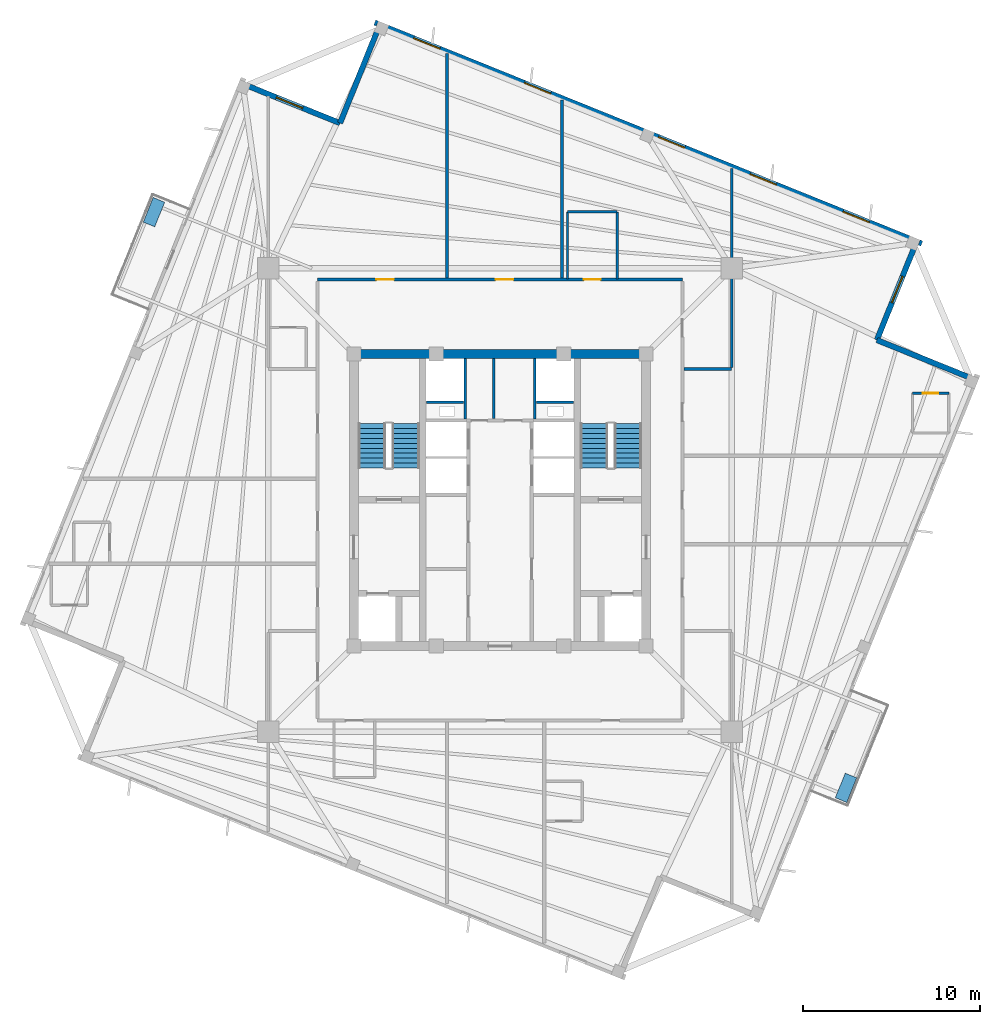
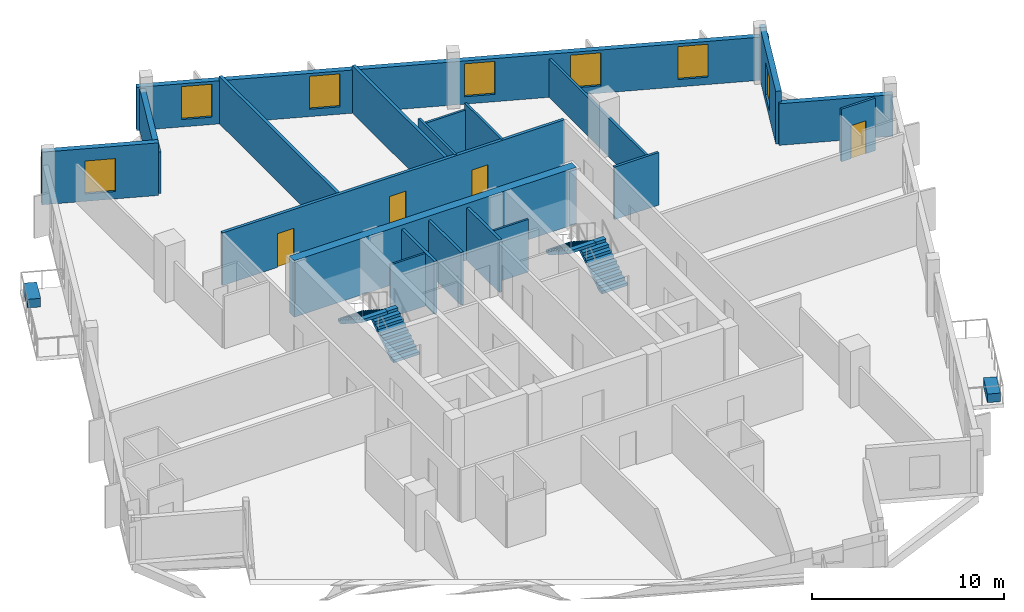
# One storey, part 5 of 8: 20 walls, 7 windows, 4 doors, 4 stair flights, 2 discrete accessories, 11 openings, 2 elements without a shape of their own.
"""IFC4 building model written with IfcOpenShell, lengths in metres."""

from ifc_helpers import new_model, si_unit, direction, frame, frame_2d, origin, origin_2d, place, context, subcontext, project, spatial, polyline, rectangle, outline, extrude, source, transform, mapped, material, layer, layer_set, type_object, element, fill, aggregate, save


model = new_model("IFC4")

# Units and contexts
model_context = context("Model", 3, precision=1e-05, world=origin(), true_north=direction((0.0, 1.0)))
body_context = subcontext(model_context, "Body", "Model", "MODEL_VIEW")
ifc_project = project(units=[si_unit("LENGTHUNIT", "METRE"), si_unit("AREAUNIT", "SQUARE_METRE"), si_unit("VOLUMEUNIT", "CUBIC_METRE"), si_unit("PLANEANGLEUNIT", "RADIAN"), si_unit("MASSUNIT", "GRAM", prefix="KILO"), si_unit("THERMODYNAMICTEMPERATUREUNIT", "KELVIN")], contexts=[model_context])

# Site, building, storey
site_placement = place(None, origin())
site = spatial("IfcSite", under=ifc_project, at=site_placement, CompositionType="ELEMENT")
building_placement = place(site_placement, origin())
building = spatial("IfcBuilding", under=site, at=building_placement, Name="Kosmvard Interchange Tower", CompositionType="ELEMENT")
storey_placement = place(building_placement, frame((0.0, 0.0, 304.800048828125)))
storey = spatial("IfcBuildingStorey", under=building, at=storey_placement, Name="L75", CompositionType="ELEMENT", Elevation=304.800048828125)

# Walls
ifc_material_1 = material(Name="Acoustic gypsum partition system")
ifc_layer_1 = layer(ifc_material_1, 0.14990234375, Name="Acoustic gypsum partition system")
ifc_layer_set_1 = layer_set([ifc_layer_1], Name="Acoustic gypsum partition system")
wall_type_1 = type_object("IfcWallType", Name="Acoustic Suite & Meeting Partition 150", PredefinedType="PARTITIONING", material=ifc_layer_set_1)
wall_1_placement = place(storey_placement, frame((10.39501953125, 7.39990234375, 0.0), z_axis=(0.0, 0.0, 1.0), x_axis=(1.0, 0.0, 0.0)))
element("IfcWall", 1, at=wall_1_placement, inside=storey, type_object=wall_type_1, Name="L75 Room Partition 11.1", PredefinedType="PARTITIONING", context=body_context, shape_type="SweptSolid", body=[
    extrude(rectangle(XDim=2.68603515625, YDim=0.14990234375, at=frame_2d((1.343017578125, 0.0))), origin(), (0.0, 0.0, 1.0), 3.349853515625),
])
wall_2_placement = place(storey_placement, frame((13.0810546875, 7.47509765625, 0.0), z_axis=(0.0, 0.0, 1.0), x_axis=(0.0, 1.0, 0.0)))
element("IfcWall", 2, at=wall_2_placement, inside=storey, type_object=wall_type_1, Name="L75 Room Partition 12.1", PredefinedType="PARTITIONING", context=body_context, shape_type="SweptSolid", body=[
    extrude(rectangle(XDim=11.24267578125, YDim=0.14990234375, at=frame_2d((5.621337890625, 0.0))), origin(), (0.0, 0.0, 1.0), 2.449951171875),
])
ifc_material_2 = material(Name="Fire-rated gypsum partition system")
ifc_layer_2 = layer(ifc_material_2, 0.159912109375, Name="Fire-rated gypsum partition system")
ifc_layer_set_2 = layer_set([ifc_layer_2], Name="Fire-rated gypsum partition system")
wall_type_2 = type_object("IfcWallType", Name="Core Compartment & Shuttle Lobby Partition 160", PredefinedType="PARTITIONING", material=ifc_layer_set_2)
for number, where, z_axis, x_axis, name in (
    (3, (-1.9599609375, 4.580078125, 0.0), (0.0, 0.0, 1.0), (0.0, 1.0, 0.0), "L75 North Core West Wall"),
    (4, (1.9599609375, 4.580078125, 0.0), (0.0, 0.0, 1.0), (0.0, 1.0, 0.0), "L75 North Core East Wall"),
):
    element("IfcWall", number, at=place(storey_placement, frame(where, z_axis=z_axis, x_axis=x_axis)), inside=storey, type_object=wall_type_2, Name=name, PredefinedType="PARTITIONING", context=body_context, shape_type="SweptSolid", body=[
        extrude(rectangle(XDim=3.39990234375, YDim=0.159912109375, at=frame_2d((1.699951171875, 0.0))), origin(), (0.0, 0.0, 1.0), 3.349853515625),
    ])
ifc_material_3 = material(Name="Concrete blockwork masonry", Category="masonry")
ifc_layer_3 = layer(ifc_material_3, 0.159912109375, Name="Concrete blockwork masonry")
ifc_layer_set_3 = layer_set([ifc_layer_3], Name="Concrete blockwork masonry")
wall_type_3 = type_object("IfcWallType", Name="Core Enclosure Split Wall 160", PredefinedType="PARTITIONING", material=ifc_layer_set_3)
wall_3_placement = place(storey_placement, frame((-0.35009765625, 4.60009765625, 0.0), z_axis=(0.0, 0.0, 1.0), x_axis=(0.0, 1.0, 0.0)))
element("IfcWall", 5, at=wall_3_placement, inside=storey, type_object=wall_type_3, Name="L75 Core K2 Split Wall", PredefinedType="PARTITIONING", context=body_context, shape_type="SweptSolid", body=[
    extrude(rectangle(XDim=3.3798828125, YDim=0.159912109375, at=frame_2d((1.68994140625, 0.0))), origin(), (0.0, 0.0, 1.0), 3.349853515625),
])

# Wall, openings, doors
ifc_layer_4 = layer(ifc_material_2, 0.179931640625, Name="Fire-rated gypsum partition system")
ifc_layer_set_4 = layer_set([ifc_layer_4], Name="Fire-rated gypsum partition system")
wall_type_4 = type_object("IfcWallType", Name="Corridor & Hotel Compartment Partition 180", PredefinedType="PARTITIONING", material=ifc_layer_set_4)
wall_4_placement = place(storey_placement, frame((-10.300048828125, 12.449951171875, 0.0), z_axis=(0.0, 0.0, 1.0), x_axis=(1.0, 0.0, 0.0)))
wall_4 = element("IfcWall", 6, at=wall_4_placement, inside=storey, type_object=wall_type_4, Name="L75 Corridor Wall CN", PredefinedType="PARTITIONING", context=body_context, shape_type="SweptSolid", body=[
    extrude(rectangle(XDim=20.60009765625, YDim=0.179931640625, at=frame_2d((10.300048828125, 0.0))), origin(), (0.0, 0.0, 1.0), 3.349853515625),
])
opening_1_placement = place(wall_4_placement, frame((15.0361328125, 0.0, 0.0)))
opening_1 = element("IfcOpeningElement", 7, at=opening_1_placement, cuts=wall_4, Name="Opening L75-D02", PredefinedType="OPENING", context=body_context, shape_type="SweptSolid", body=[
    extrude(rectangle(XDim=0.949951171875, YDim=2.10009765625, at=frame_2d((0.47509765625, 1.050048828125))), frame((0.0, 0.10009765625, 0.0), z_axis=(0.0, -1.0, 0.0), x_axis=(1.0, 0.0, 0.0)), (0.0, 0.0, 1.0), 0.199951171875),
])
opening_2_placement = place(wall_4_placement, frame((3.314453125, 0.0, 0.0)))
opening_2 = element("IfcOpeningElement", 8, at=opening_2_placement, cuts=wall_4, Name="Opening L75-D04", PredefinedType="OPENING", context=body_context, shape_type="SweptSolid", body=[
    extrude(rectangle(XDim=1.0, YDim=2.14990234375, at=frame_2d((0.5, 1.074951171875))), frame((0.0, 0.10009765625, 0.0), z_axis=(0.0, -1.0, 0.0), x_axis=(1.0, 0.0, 0.0)), (0.0, 0.0, 1.0), 0.199951171875),
])
opening_3_placement = place(wall_4_placement, frame((10.050048828125, 0.0, 0.0)))
opening_3 = element("IfcOpeningElement", 9, at=opening_3_placement, cuts=wall_4, Name="Opening L75-D06", PredefinedType="OPENING", context=body_context, shape_type="SweptSolid", body=[
    extrude(rectangle(XDim=1.0, YDim=2.14990234375, at=frame_2d((0.5, 1.074951171875))), frame((0.0, 0.10009765625, 0.0), z_axis=(0.0, -1.0, 0.0), x_axis=(1.0, 0.0, 0.0)), (0.0, 0.0, 1.0), 0.199951171875),
])
ifc_material_4 = material(Name="Laminated moisture-resistant timber", Category="wood")
door_type_1 = type_object("IfcDoorType", Name="Accessible Washroom Door 950x2100", OperationType="NOTDEFINED", PredefinedType="DOOR", material=ifc_material_4)
shared_shape_1 = source(origin(), body_context, "Body", "SweptSolid", [
    extrude(rectangle(XDim=0.949951171875, YDim=2.10009765625, at=frame_2d((0.47509765625, 1.050048828125))), frame((0.0, 0.02490234375, 0.0), z_axis=(0.0, -1.0, 0.0), x_axis=(1.0, 0.0, 0.0)), (0.0, 0.0, 1.0), 0.050048828125),
])
door_1_placement = place(opening_1_placement, origin())
door_1 = element("IfcDoor", 10, at=door_1_placement, inside=storey, type_object=door_type_1, Name="L75 Public Sky Dining Washroom Door", OperationType="SINGLE_SWING_RIGHT", OverallHeight=2.10009765625, OverallWidth=0.949951171875, PredefinedType="DOOR", context=body_context, shape_type="MappedRepresentation", body=[
    mapped(shared_shape_1, transform((0.0, 0.0, 0.0), scale=1.0)),
])
fill(opening_1, door_1)
ifc_material_5 = material(Name="Engineered oak fire-rated timber", Category="wood")
door_type_2 = type_object("IfcDoorType", Name="Hotel Guestroom Entrance Door 1000x2150 EI60", OperationType="NOTDEFINED", PredefinedType="DOOR", material=ifc_material_5)
shared_shape_2 = source(origin(), body_context, "Body", "SweptSolid", [
    extrude(rectangle(XDim=1.0, YDim=2.14990234375, at=frame_2d((0.5, 1.074951171875))), frame((0.0, 0.02490234375, 0.0), z_axis=(0.0, -1.0, 0.0), x_axis=(1.0, 0.0, 0.0)), (0.0, 0.0, 1.0), 0.050048828125),
])
door_2_placement = place(opening_2_placement, origin())
door_2 = element("IfcDoor", 11, at=door_2_placement, inside=storey, type_object=door_type_2, Name="L75 Hotel Presidential Suite 1 Door", OperationType="SINGLE_SWING_RIGHT", OverallHeight=2.14990234375, OverallWidth=1.0, PredefinedType="DOOR", context=body_context, shape_type="MappedRepresentation", body=[
    mapped(shared_shape_2, transform((0.0, 0.0, 0.0), scale=1.0)),
])
fill(opening_2, door_2)
door_3_placement = place(opening_3_placement, origin())
door_3 = element("IfcDoor", 12, at=door_3_placement, inside=storey, type_object=door_type_2, Name="L75 Hotel Sky Champagne Lounge Door", OperationType="SINGLE_SWING_RIGHT", OverallHeight=2.14990234375, OverallWidth=1.0, PredefinedType="DOOR", context=body_context, shape_type="MappedRepresentation", body=[
    mapped(shared_shape_2, transform((0.0, 0.0, 0.0), scale=1.0)),
])
fill(opening_3, door_3)

# Walls
wall_5_placement = place(storey_placement, frame((-3.0, 12.544921875, 0.0), z_axis=(0.0, 0.0, 1.0), x_axis=(0.0, 1.0, 0.0)))
element("IfcWall", 13, at=wall_5_placement, inside=storey, type_object=wall_type_4, Name="L75 Room Partition 01.1", PredefinedType="PARTITIONING", context=body_context, shape_type="SweptSolid", body=[
    extrude(rectangle(XDim=12.669921875, YDim=0.179931640625, at=frame_2d((6.3349609375, 0.0))), origin(), (0.0, 0.0, 1.0), 3.02001953125),
])
wall_6_placement = place(storey_placement, frame((3.5, 12.544921875, 0.0), z_axis=(0.0, 0.0, 1.0), x_axis=(0.0, 1.0, 0.0)))
element("IfcWall", 14, at=wall_6_placement, inside=storey, type_object=wall_type_4, Name="L75 Room Partition 02.1", PredefinedType="PARTITIONING", context=body_context, shape_type="SweptSolid", body=[
    extrude(rectangle(XDim=10.043701171875, YDim=0.179931640625, at=frame_2d((5.02197265625, 0.0))), origin(), (0.0, 0.0, 1.0), 3.02001953125),
])
ifc_material_6 = material(Name="Fire-rated gypsum shaftwall system")
ifc_layer_5 = layer(ifc_material_6, 0.1201171875, Name="Fire-rated gypsum shaftwall system")
ifc_layer_set_5 = layer_set([ifc_layer_5], Name="Fire-rated gypsum shaftwall system")
wall_type_5 = type_object("IfcWallType", Name="Shaft & Riser Fire Partition 120 EI60", PredefinedType="PARTITIONING", material=ifc_layer_set_5)
for number, where, z_axis, x_axis, name in (
    (15, (-4.159912109375, 5.52001953125, 0.0), (0.0, 0.0, 1.0), (1.0, 0.0, 0.0), "L75 Riser Shaft Divider W"),
    (16, (2.06005859375, 5.52001953125, 0.0), (0.0, 0.0, 1.0), (1.0, 0.0, 0.0), "L75 Riser Shaft Divider E"),
):
    element("IfcWall", number, at=place(storey_placement, frame(where, z_axis=z_axis, x_axis=x_axis)), inside=storey, type_object=wall_type_5, Name=name, PredefinedType="PARTITIONING", context=body_context, shape_type="SweptSolid", body=[
        extrude(rectangle(XDim=2.099853515625, YDim=0.1201171875, at=frame_2d((1.0498046875, 0.0))), origin(), (0.0, 0.0, 1.0), 3.349853515625),
    ])
ifc_material_7 = material(Name="Concrete C60/75", Category="concrete")
ifc_layer_6 = layer(ifc_material_7, 0.5, Name="Concrete C60/75")
ifc_layer_set_6 = layer_set([ifc_layer_6], Name="Concrete C60/75")
wall_type_6 = type_object("IfcWallType", Name="Upper Core Shear Wall 500 C60/75", PredefinedType="SHEAR", material=ifc_layer_set_6)
wall_7_placement = place(storey_placement, frame((-8.5, 8.25, 0.0), z_axis=(0.0, 0.0, 1.0), x_axis=(1.0, 0.0, 0.0)))
element("IfcWall", 17, at=wall_7_placement, inside=storey, type_object=wall_type_6, Name="L75 Core Shear Wall CW-N", PredefinedType="SHEAR", context=body_context, shape_type="SweptSolid", body=[
    extrude(rectangle(XDim=17.0, YDim=0.5, at=frame_2d((8.5, 0.0))), origin(), (0.0, 0.0, 1.0), 3.599853515625),
])
ifc_material_8 = material(Name="Precast concrete C45/55", Category="concrete")
ifc_layer_7 = layer(ifc_material_8, 0.31005859375, Name="Precast concrete C45/55")
ifc_layer_set_7 = layer_set([ifc_layer_7], Name="Precast concrete C45/55")
wall_type_7 = type_object("IfcWallType", Name="Upper Tower Precast Pier Wall 310 C45/55", PredefinedType="STANDARD", material=ifc_layer_set_7)
wall_8_placement = place(storey_placement, frame((26.8408203125, 6.7841796875, 0.0), z_axis=(0.0, 0.0, 1.0), x_axis=(-0.927171722085, 0.374636620962, 0.0)))
element("IfcWall", 18, at=wall_8_placement, inside=storey, type_object=wall_type_7, Name="L75 Precast Facade Wall N-SE1", PredefinedType="STANDARD", context=body_context, shape_type="SweptSolid", body=[
    extrude(rectangle(XDim=6.0, YDim=0.31005859375, at=frame_2d((3.0, 0.0))), origin(), (0.0, 0.0, 1.0), 2.64990234375),
])

# Wall, opening, window
wall_9_placement = place(storey_placement, frame((21.27783203125, 9.031982421875, 0.0), z_axis=(0.0, 0.0, 1.0), x_axis=(0.374602739196, 0.927185411764, 0.0)))
wall_9 = element("IfcWall", 19, at=wall_9_placement, inside=storey, type_object=wall_type_7, Name="L75 Precast Facade Wall N-SE2", PredefinedType="STANDARD", context=body_context, shape_type="SweptSolid", body=[
    extrude(rectangle(XDim=6.155029296875, YDim=0.31005859375, at=frame_2d((3.07763671875, 0.0))), origin(), (0.0, 0.0, 1.0), 3.349853515625),
])
opening_4_placement = place(wall_9_placement, frame((2.277587890625, 0.0, 0.469970703125)))
opening_4 = element("IfcOpeningElement", 20, at=opening_4_placement, cuts=wall_9, Name="Opening L75-W21", PredefinedType="OPENING", context=body_context, shape_type="SweptSolid", body=[
    extrude(rectangle(XDim=1.60009765625, YDim=2.10009765625, at=frame_2d((0.800048828125, 1.050048828125))), frame((0.0, 0.1650390625, 0.0), z_axis=(0.0, -1.0, 0.0), x_axis=(1.0, 0.0, 0.0)), (0.0, 0.0, 1.0), 0.330078125),
])
ifc_material_9 = material(Name="Low-E acoustic double glazing", Category="glass")
window_type = type_object("IfcWindowType", Name="Zone 5 Hotel Punched Window 1600x2100", PartitioningType="SINGLE_PANEL", PredefinedType="WINDOW", material=ifc_material_9)
shared_shape_3 = source(origin(), body_context, "Body", "SweptSolid", [
    extrude(rectangle(XDim=1.60009765625, YDim=2.10009765625, at=frame_2d((0.800048828125, 1.050048828125))), frame((0.0, 0.030029296875, 0.0), z_axis=(0.0, -1.0, 0.0), x_axis=(1.0, 0.0, 0.0)), (0.0, 0.0, 1.0), 0.06005859375),
])
window_1_placement = place(opening_4_placement, origin())
window_1 = element("IfcWindow", 21, at=window_1_placement, inside=storey, type_object=window_type, Name="L75 Corner Notch Window 21", OverallHeight=2.10009765625, OverallWidth=1.60009765625, PartitioningType="SINGLE_PANEL", PredefinedType="WINDOW", context=body_context, shape_type="MappedRepresentation", body=[
    mapped(shared_shape_3, transform((0.0, 0.0, 0.0), scale=1.0)),
])
fill(opening_4, window_1)

# Wall, openings, windows
wall_10_placement = place(storey_placement, frame((23.812744140625, 14.478759765625, 0.0), z_axis=(0.0, 0.0, 1.0), x_axis=(-0.927182657188, 0.374609557019, 0.0)))
wall_10 = element("IfcWall", 22, at=wall_10_placement, inside=storey, type_object=wall_type_7, Name="L75 Precast Facade Wall F-E", PredefinedType="STANDARD", context=body_context, shape_type="SweptSolid", body=[
    extrude(rectangle(XDim=33.31005859375, YDim=0.31005859375, at=frame_2d((16.655029296875, 0.0))), origin(), (0.0, 0.0, 1.0), 2.75),
])
opening_5_placement = place(wall_10_placement, frame((3.197265625, 0.0, 0.469970703125)))
opening_5 = element("IfcOpeningElement", 23, at=opening_5_placement, cuts=wall_10, Name="Opening L75-W06", PredefinedType="OPENING", context=body_context, shape_type="SweptSolid", body=[
    extrude(rectangle(XDim=1.60009765625, YDim=2.10009765625, at=frame_2d((0.800048828125, 1.050048828125))), frame((0.0, 0.1650390625, 0.0), z_axis=(0.0, -1.0, 0.0), x_axis=(1.0, 0.0, 0.0)), (0.0, 0.0, 1.0), 0.330078125),
])
opening_6_placement = place(wall_10_placement, frame((8.85986328125, 0.0, 0.469970703125)))
opening_6 = element("IfcOpeningElement", 24, at=opening_6_placement, cuts=wall_10, Name="Opening L75-W07", PredefinedType="OPENING", context=body_context, shape_type="SweptSolid", body=[
    extrude(rectangle(XDim=1.60009765625, YDim=2.10009765625, at=frame_2d((0.800048828125, 1.050048828125))), frame((0.0, 0.1650390625, 0.0), z_axis=(0.0, -1.0, 0.0), x_axis=(1.0, 0.0, 0.0)), (0.0, 0.0, 1.0), 0.330078125),
])
opening_7_placement = place(wall_10_placement, frame((14.438720703125, 0.0, 0.469970703125)))
opening_7 = element("IfcOpeningElement", 25, at=opening_7_placement, cuts=wall_10, Name="Opening L75-W08", PredefinedType="OPENING", context=body_context, shape_type="SweptSolid", body=[
    extrude(rectangle(XDim=1.60009765625, YDim=2.10009765625, at=frame_2d((0.800048828125, 1.050048828125))), frame((0.0, 0.1650390625, 0.0), z_axis=(0.0, -1.0, 0.0), x_axis=(1.0, 0.0, 0.0)), (0.0, 0.0, 1.0), 0.330078125),
])
opening_8_placement = place(wall_10_placement, frame((22.600830078125, 0.0, 0.469970703125)))
opening_8 = element("IfcOpeningElement", 26, at=opening_8_placement, cuts=wall_10, Name="Opening L75-W09", PredefinedType="OPENING", context=body_context, shape_type="SweptSolid", body=[
    extrude(rectangle(XDim=1.60009765625, YDim=2.10009765625, at=frame_2d((0.800048828125, 1.050048828125))), frame((0.0, 0.1650390625, 0.0), z_axis=(0.0, -1.0, 0.0), x_axis=(1.0, 0.0, 0.0)), (0.0, 0.0, 1.0), 0.330078125),
])
opening_9_placement = place(wall_10_placement, frame((29.3466796875, 0.0, 0.469970703125)))
opening_9 = element("IfcOpeningElement", 27, at=opening_9_placement, cuts=wall_10, Name="Opening L75-W10", PredefinedType="OPENING", context=body_context, shape_type="SweptSolid", body=[
    extrude(rectangle(XDim=1.60009765625, YDim=2.10009765625, at=frame_2d((0.800048828125, 1.050048828125))), frame((0.0, 0.1650390625, 0.0), z_axis=(0.0, -1.0, 0.0), x_axis=(1.0, 0.0, 0.0)), (0.0, 0.0, 1.0), 0.330078125),
])
window_2_placement = place(opening_5_placement, origin())
window_2 = element("IfcWindow", 28, at=window_2_placement, inside=storey, type_object=window_type, Name="L75 Facade Punched Window 06", OverallHeight=2.10009765625, OverallWidth=1.60009765625, PartitioningType="SINGLE_PANEL", PredefinedType="WINDOW", context=body_context, shape_type="MappedRepresentation", body=[
    mapped(shared_shape_3, transform((0.0, 0.0, 0.0), scale=1.0)),
])
fill(opening_5, window_2)
window_3_placement = place(opening_6_placement, origin())
window_3 = element("IfcWindow", 29, at=window_3_placement, inside=storey, type_object=window_type, Name="L75 Facade Punched Window 07", OverallHeight=2.10009765625, OverallWidth=1.60009765625, PartitioningType="SINGLE_PANEL", PredefinedType="WINDOW", context=body_context, shape_type="MappedRepresentation", body=[
    mapped(shared_shape_3, transform((0.0, 0.0, 0.0), scale=1.0)),
])
fill(opening_6, window_3)
window_4_placement = place(opening_7_placement, origin())
window_4 = element("IfcWindow", 30, at=window_4_placement, inside=storey, type_object=window_type, Name="L75 Facade Punched Window 08", OverallHeight=2.10009765625, OverallWidth=1.60009765625, PartitioningType="SINGLE_PANEL", PredefinedType="WINDOW", context=body_context, shape_type="MappedRepresentation", body=[
    mapped(shared_shape_3, transform((0.0, 0.0, 0.0), scale=1.0)),
])
fill(opening_7, window_4)
window_5_placement = place(opening_8_placement, origin())
window_5 = element("IfcWindow", 31, at=window_5_placement, inside=storey, type_object=window_type, Name="L75 Facade Punched Window 09", OverallHeight=2.10009765625, OverallWidth=1.60009765625, PartitioningType="SINGLE_PANEL", PredefinedType="WINDOW", context=body_context, shape_type="MappedRepresentation", body=[
    mapped(shared_shape_3, transform((0.0, 0.0, 0.0), scale=1.0)),
])
fill(opening_8, window_5)
window_6_placement = place(opening_9_placement, origin())
window_6 = element("IfcWindow", 32, at=window_6_placement, inside=storey, type_object=window_type, Name="L75 Facade Punched Window 10", OverallHeight=2.10009765625, OverallWidth=1.60009765625, PartitioningType="SINGLE_PANEL", PredefinedType="WINDOW", context=body_context, shape_type="MappedRepresentation", body=[
    mapped(shared_shape_3, transform((0.0, 0.0, 0.0), scale=1.0)),
])
fill(opening_9, window_6)

# Wall
wall_11_placement = place(storey_placement, frame((-6.7841796875, 26.8408203125, 0.0), z_axis=(0.0, 0.0, 1.0), x_axis=(-0.374636620962, -0.927171722085, 0.0)))
element("IfcWall", 33, at=wall_11_placement, inside=storey, type_object=wall_type_7, Name="L75 Precast Facade Wall N-NE1", PredefinedType="STANDARD", context=body_context, shape_type="SweptSolid", body=[
    extrude(rectangle(XDim=6.0, YDim=0.31005859375, at=frame_2d((3.0, 0.0))), origin(), (0.0, 0.0, 1.0), 2.64990234375),
])

# Wall, opening, window
wall_12_placement = place(storey_placement, frame((-9.031982421875, 21.27783203125, 0.0), z_axis=(0.0, 0.0, 1.0), x_axis=(-0.927185411764, 0.374602739196, 0.0)))
wall_12 = element("IfcWall", 34, at=wall_12_placement, inside=storey, type_object=wall_type_7, Name="L75 Precast Facade Wall N-NE2", PredefinedType="STANDARD", context=body_context, shape_type="SweptSolid", body=[
    extrude(rectangle(XDim=6.155029296875, YDim=0.31005859375, at=frame_2d((3.07763671875, 0.0))), origin(), (0.0, 0.0, 1.0), 3.349853515625),
])
opening_10_placement = place(wall_12_placement, frame((2.277587890625, 0.0, 0.469970703125)))
opening_10 = element("IfcOpeningElement", 35, at=opening_10_placement, cuts=wall_12, Name="Opening L75-W22", PredefinedType="OPENING", context=body_context, shape_type="SweptSolid", body=[
    extrude(rectangle(XDim=1.60009765625, YDim=2.10009765625, at=frame_2d((0.800048828125, 1.050048828125))), frame((0.0, 0.1650390625, 0.0), z_axis=(0.0, -1.0, 0.0), x_axis=(1.0, 0.0, 0.0)), (0.0, 0.0, 1.0), 0.330078125),
])
window_7_placement = place(opening_10_placement, origin())
window_7 = element("IfcWindow", 36, at=window_7_placement, inside=storey, type_object=window_type, Name="L75 Corner Notch Window 22", OverallHeight=2.10009765625, OverallWidth=1.60009765625, PartitioningType="SINGLE_PANEL", PredefinedType="WINDOW", context=body_context, shape_type="MappedRepresentation", body=[
    mapped(shared_shape_3, transform((0.0, 0.0, 0.0), scale=1.0)),
])
fill(opening_10, window_7)

# Walls
ifc_material_10 = material(Name="Moisture-resistant gypsum partition")
ifc_layer_8 = layer(ifc_material_10, 0.135009765625, Name="Moisture-resistant gypsum partition")
ifc_layer_set_8 = layer_set([ifc_layer_8], Name="Moisture-resistant gypsum partition")
wall_type_8 = type_object("IfcWallType", Name="Wet Room Moisture-Resistant Partition 135", PredefinedType="PARTITIONING", material=ifc_layer_set_8)
wall_13_placement = place(storey_placement, frame((6.611083984375, 12.469970703125, 0.0), z_axis=(0.0, 0.0, 1.0), x_axis=(0.0, 1.0, 0.0)))
element("IfcWall", 37, at=wall_13_placement, inside=storey, type_object=wall_type_8, Name="L75 Washroom Partition HWC1-E", PredefinedType="PARTITIONING", context=body_context, shape_type="SweptSolid", body=[
    extrude(rectangle(XDim=3.800048828125, YDim=0.135009765625, at=frame_2d((1.89990234375, 0.0))), origin(), (0.0, 0.0, 1.0), 3.349853515625),
])
wall_14_placement = place(storey_placement, frame((3.81103515625, 16.27001953125, 0.0), z_axis=(0.0, 0.0, 1.0), x_axis=(1.0, 0.0, 0.0)))
element("IfcWall", 38, at=wall_14_placement, inside=storey, type_object=wall_type_8, Name="L75 Washroom Partition HWC1-N", PredefinedType="PARTITIONING", context=body_context, shape_type="SweptSolid", body=[
    extrude(rectangle(XDim=2.800048828125, YDim=0.135009765625, at=frame_2d((1.39990234375, 0.0))), origin(), (0.0, 0.0, 1.0), 2.949951171875),
])
wall_15_placement = place(storey_placement, frame((3.81103515625, 12.469970703125, 0.0), z_axis=(0.0, 0.0, 1.0), x_axis=(0.0, 1.0, 0.0)))
element("IfcWall", 39, at=wall_15_placement, inside=storey, type_object=wall_type_8, Name="L75 Washroom Partition HWC1-W", PredefinedType="PARTITIONING", context=body_context, shape_type="SweptSolid", body=[
    extrude(rectangle(XDim=3.800048828125, YDim=0.135009765625, at=frame_2d((1.89990234375, 0.0))), origin(), (0.0, 0.0, 1.0), 3.349853515625),
])

# Wall, opening, door
wall_16_placement = place(storey_placement, frame((23.29150390625, 6.030029296875, 0.0), z_axis=(0.0, 0.0, 1.0), x_axis=(1.0, 0.0, 0.0)))
wall_16 = element("IfcWall", 40, at=wall_16_placement, inside=storey, type_object=wall_type_8, Name="L75 En-Suite Partition HPR2-N", PredefinedType="PARTITIONING", context=body_context, shape_type="SweptSolid", body=[
    extrude(rectangle(XDim=2.050048828125, YDim=0.135009765625, at=frame_2d((1.02490234375, 0.0))), origin(), (0.0, 0.0, 1.0), 3.349853515625),
])
opening_11_placement = place(wall_16_placement, frame((0.5849609375, 0.0, 0.0)))
opening_11 = element("IfcOpeningElement", 41, at=opening_11_placement, cuts=wall_16, Name="Opening L75-ED09", PredefinedType="OPENING", context=body_context, shape_type="SweptSolid", body=[
    extrude(rectangle(XDim=0.8798828125, YDim=2.10009765625, at=frame_2d((0.43994140625, 1.050048828125))), frame((0.0, 0.07763671875, 0.0), z_axis=(0.0, -1.0, 0.0), x_axis=(1.0, 0.0, 0.0)), (0.0, 0.0, 1.0), 0.155029296875),
])
door_type_3 = type_object("IfcDoorType", Name="En-Suite & Washroom Door 880x2100", OperationType="NOTDEFINED", PredefinedType="DOOR", material=ifc_material_4)
shared_shape_4 = source(origin(), body_context, "Body", "SweptSolid", [
    extrude(rectangle(XDim=0.8798828125, YDim=2.10009765625, at=frame_2d((0.43994140625, 1.050048828125))), frame((0.0, 0.02490234375, 0.0), z_axis=(0.0, -1.0, 0.0), x_axis=(1.0, 0.0, 0.0)), (0.0, 0.0, 1.0), 0.050048828125),
])
door_4_placement = place(opening_11_placement, frame((0.8798828125, 0.0, 0.0), z_axis=(0.0, 0.0, 1.0), x_axis=(-1.0, 0.0, 0.0)))
door_4 = element("IfcDoor", 42, at=door_4_placement, inside=storey, type_object=door_type_3, Name="L75 HPR2 En-Suite Door", OperationType="SINGLE_SWING_RIGHT", OverallHeight=2.10009765625, OverallWidth=0.8798828125, PredefinedType="DOOR", context=body_context, shape_type="MappedRepresentation", body=[
    mapped(shared_shape_4, transform((0.0, 0.0, 0.0), scale=1.0)),
])
fill(opening_11, door_4)

# Stair, stair flights
ifc_material_11 = material(Name="Concrete C50/60", Category="concrete")
stair_type = type_object("IfcStairType", Name="Dog-Leg Core Exit Stair H3600 C50/60", PredefinedType="HALF_TURN_STAIR", material=ifc_material_11)
stair_1_placement = place(storey_placement, origin())
stair_1 = element("IfcStair", 43, at=stair_1_placement, inside=storey, type_object=stair_type, Name="L75 Protected Exit Stair ST-1", PredefinedType="HALF_TURN_STAIR")
stair_flight_type = type_object("IfcStairFlightType", Name="Core Stair Flight W1550 H3600 C50/60", PredefinedType="STRAIGHT", material=ifc_material_11)
shared_shape_5 = source(origin(), body_context, "Body", "SweptSolid", [
    extrude(outline(polyline([(0.0, 0.0), (0.0, 0.179931640625), (0.280029296875, 0.179931640625), (0.280029296875, 0.360107421875), (0.56005859375, 0.360107421875), (0.56005859375, 0.5400390625), (0.840087890625, 0.5400390625), (0.840087890625, 0.719970703125), (1.1201171875, 0.719970703125), (1.1201171875, 0.89990234375), (1.39990234375, 0.89990234375), (1.39990234375, 1.080078125), (1.679931640625, 1.080078125), (1.679931640625, 1.260009765625), (1.9599609375, 1.260009765625), (1.9599609375, 1.43994140625), (2.239990234375, 1.43994140625), (2.239990234375, 1.6201171875), (2.52001953125, 1.6201171875), (2.52001953125, 1.800048828125), (2.52001953125, 1.429931640625), (0.295654296875, 0.0), (0.0, 0.0)])), frame((0.0, 0.77490234375, 0.0), z_axis=(0.0, -1.0, 0.0), x_axis=(1.0, 0.0, 0.0)), (0.0, 0.0, 1.0), 1.550048828125),
])
stair_flight_1_placement = place(storey_placement, frame((-5.31494140625, 1.800048828125, 0.0), z_axis=(0.0, 0.0, 1.0), x_axis=(0.0, 1.0, 0.0)))
stair_flight_1 = element("IfcStairFlight", 44, at=stair_flight_1_placement, type_object=stair_flight_type, Name="ST-1 flight 1", NumberOfRisers=10, NumberOfTreads=9, PredefinedType="STRAIGHT", RiserHeight=0.18, TreadLength=0.28, context=body_context, shape_type="MappedRepresentation", body=[
    mapped(shared_shape_5, transform((0.0, 0.0, 0.0), scale=1.0)),
])
stair_flight_2_placement = place(storey_placement, frame((-7.22509765625, 4.320068359375, 1.800048828125), z_axis=(0.0, 0.0, 1.0), x_axis=(0.0, -1.0, 0.0)))
stair_flight_2 = element("IfcStairFlight", 45, at=stair_flight_2_placement, type_object=stair_flight_type, Name="ST-1 flight 2", NumberOfRisers=10, NumberOfTreads=9, PredefinedType="STRAIGHT", RiserHeight=0.18, TreadLength=0.28, context=body_context, shape_type="MappedRepresentation", body=[
    mapped(shared_shape_5, transform((0.0, 0.0, 0.0), scale=1.0)),
])
aggregate(stair_1, [stair_flight_1, stair_flight_2])

stair_2_placement = place(storey_placement, origin())
stair_2 = element("IfcStair", 46, at=stair_2_placement, inside=storey, type_object=stair_type, Name="L75 Protected Exit Stair ST-2", PredefinedType="HALF_TURN_STAIR")
stair_flight_3_placement = place(storey_placement, frame((7.22509765625, 1.800048828125, 0.0), z_axis=(0.0, 0.0, 1.0), x_axis=(0.0, 1.0, 0.0)))
stair_flight_3 = element("IfcStairFlight", 47, at=stair_flight_3_placement, type_object=stair_flight_type, Name="ST-2 flight 1", NumberOfRisers=10, NumberOfTreads=9, PredefinedType="STRAIGHT", RiserHeight=0.18, TreadLength=0.28, context=body_context, shape_type="MappedRepresentation", body=[
    mapped(shared_shape_5, transform((0.0, 0.0, 0.0), scale=1.0)),
])
stair_flight_4_placement = place(storey_placement, frame((5.31494140625, 4.320068359375, 1.800048828125), z_axis=(0.0, 0.0, 1.0), x_axis=(0.0, -1.0, 0.0)))
stair_flight_4 = element("IfcStairFlight", 48, at=stair_flight_4_placement, type_object=stair_flight_type, Name="ST-2 flight 2", NumberOfRisers=10, NumberOfTreads=9, PredefinedType="STRAIGHT", RiserHeight=0.18, TreadLength=0.28, context=body_context, shape_type="MappedRepresentation", body=[
    mapped(shared_shape_5, transform((0.0, 0.0, 0.0), scale=1.0)),
])
aggregate(stair_2, [stair_flight_3, stair_flight_4])

# Discrete accessories
ifc_material_12 = material(Name="Terracotta precast planter concrete C45/55", Category="masonry")
discrete_accessory_type = type_object("IfcDiscreteAccessoryType", Name="Precast Tree-Balcony & Terrace Planter Box", PredefinedType="USERDEFINED", material=ifc_material_12)
shared_shape_6 = source(origin(), body_context, "Body", "SweptSolid", [
    extrude(rectangle(XDim=1.5, YDim=0.699951171875, at=origin_2d()), origin(), (0.0, 0.0, 1.0), 0.550048828125),
])
for number, where, z_axis, x_axis, name in (
    (49, (19.53466796875, -16.251220703125, 0.0), (0.0, 0.0, 1.0), (0.374606593416, 0.927183854567, 0.0), "L75 Balcony Tree Planter BAL-L75-S"),
    (50, (-19.53466796875, 16.251220703125, 0.0), (0.0, 0.0, 1.0), (0.374606593416, 0.927183854567, 0.0), "L75 Balcony Tree Planter BAL-L75-N"),
):
    element("IfcDiscreteAccessory", number, at=place(storey_placement, frame(where, z_axis=z_axis, x_axis=x_axis)), inside=storey, type_object=discrete_accessory_type, Name=name, ObjectType="PLANTER", PredefinedType="USERDEFINED", context=body_context, shape_type="MappedRepresentation", body=[
        mapped(shared_shape_6, transform((0.0, 0.0, 0.0), scale=1.0)),
    ])

save(model, "model.ifc")
